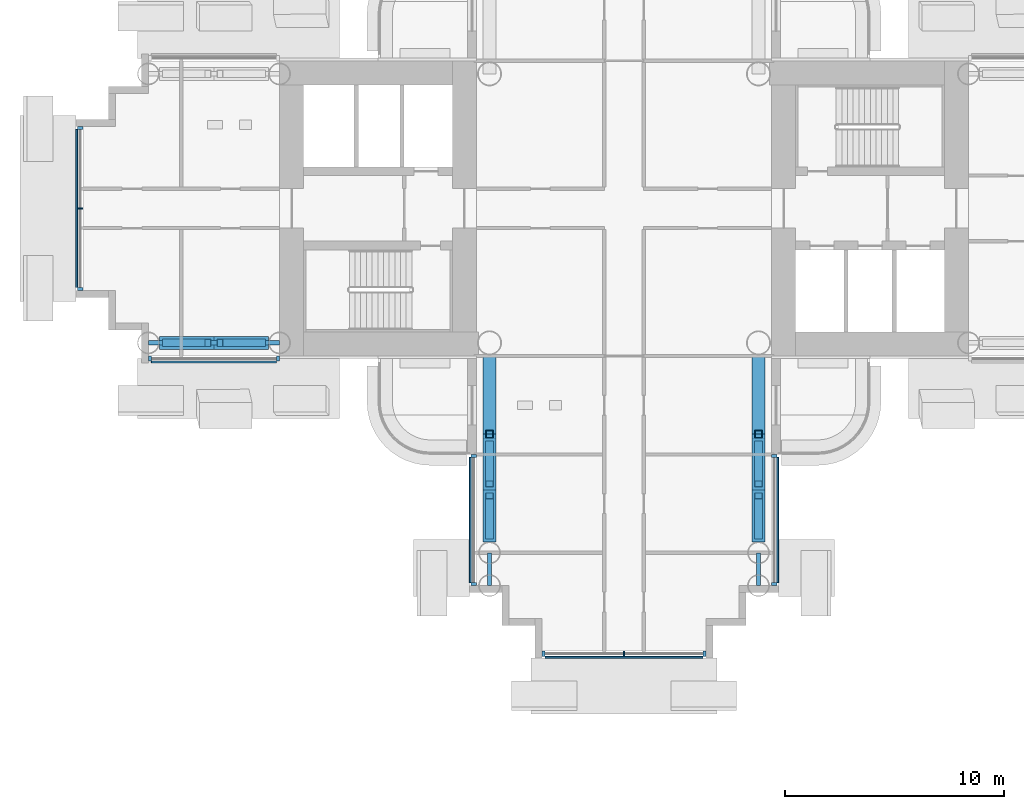
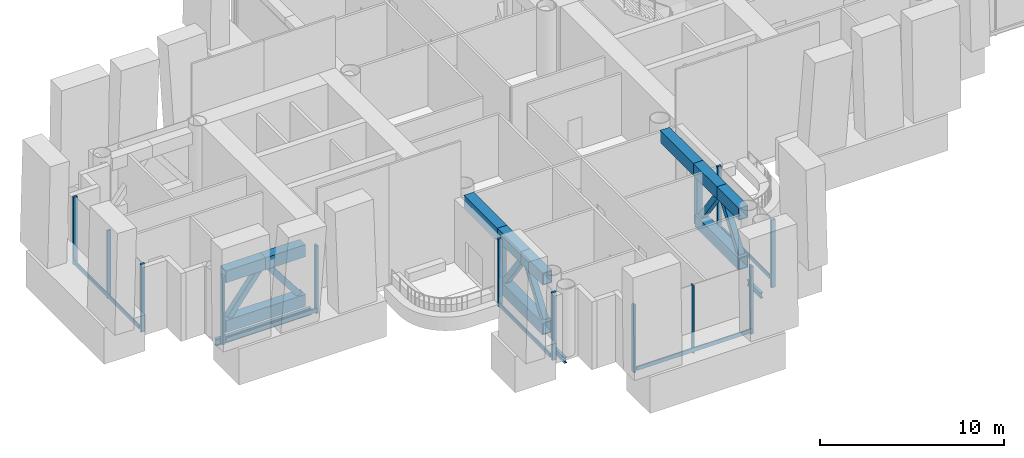
# One storey, part 3 of 27: 36 members, 3 beams, 5 elements without a shape of their own.
"""IFC4 building model written with IfcOpenShell, lengths in metres."""

from ifc_helpers import new_model, si_unit, direction, frame, origin, origin_2d, place, context, subcontext, project, spatial, rectangle, hollow_rectangle, i_section, extrude, material, layer, layer_set, material_profile, profile_set, type_object, element, aggregate, save


model = new_model("IFC4")

# Units and contexts
model_context = context("Model", 3, precision=1e-05, world=origin(), true_north=direction((0.0, 1.0)))
body_context = subcontext(model_context, "Body", "Model", "MODEL_VIEW")
ifc_project = project(units=[si_unit("LENGTHUNIT", "METRE"), si_unit("AREAUNIT", "SQUARE_METRE"), si_unit("VOLUMEUNIT", "CUBIC_METRE"), si_unit("PLANEANGLEUNIT", "RADIAN"), si_unit("MASSUNIT", "GRAM", prefix="KILO")], contexts=[model_context])

# Site, building, storey
site_placement = place(None, origin())
site = spatial("IfcSite", under=ifc_project, at=site_placement, CompositionType="ELEMENT")
building_placement = place(site_placement, origin())
building = spatial("IfcBuilding", under=site, at=building_placement, Name="Ipe Terrace Towers", CompositionType="ELEMENT")
storey_placement = place(building_placement, frame((0.0, 0.0, 72.10009765625)))
storey = spatial("IfcBuildingStorey", under=building, at=storey_placement, Name="L19", CompositionType="ELEMENT", Elevation=72.10009765625)

# Beams
ifc_material_1 = material(Name="Steel S355", Category="steel")
ifc_material_profile_1 = material_profile(ifc_material_1, i_section(OverallWidth=0.175048828125, OverallDepth=0.35009765625, WebThickness=0.007080078125, FlangeThickness=0.010986328125, at=origin_2d()), Name="H-350x175x7x11")
ifc_profile_set_1 = profile_set([ifc_material_profile_1], Name="Steel S355")
beam_type_1 = type_object("IfcBeamType", Name="H04 EDGE BEAM H-350x175x7x11", PredefinedType="BEAM", material=ifc_profile_set_1)
for number, where, z_axis, x_axis, name in (
    (1, (-42.14990234375, -15.75, -0.5751953125), (0.0, -1.0, 0.0), (1.0, 0.0, 0.0), "Edge beam T1-EB-D03-D05"),
    (2, (-29.85009765625, -15.75, -0.5751953125), (0.0, -1.0, 0.0), (1.0, 0.0, 0.0), "Edge beam T1-EB-D04-D06"),
):
    element("IfcBeam", number, at=place(storey_placement, frame(where, z_axis=z_axis, x_axis=x_axis)), inside=storey, type_object=beam_type_1, Name=name, PredefinedType="BEAM", context=body_context, shape_type="SweptSolid", body=[
        extrude(i_section(OverallWidth=0.175048828125, OverallDepth=0.35009765625, WebThickness=0.007080078125, FlangeThickness=0.010986328125, at=origin_2d()), origin(), (0.0, 0.0, 1.0), 1.5),
    ])
ifc_material_2 = material(Name="Steel S355", Category="steel")
ifc_material_profile_2 = material_profile(ifc_material_2, i_section(OverallWidth=0.199951171875, OverallDepth=0.449951171875, WebThickness=0.009033203125, FlangeThickness=0.013916015625, at=origin_2d()), Name="H-450x200x9x14")
ifc_profile_set_2 = profile_set([ifc_material_profile_2], Name="Steel S355")
beam_type_2 = type_object("IfcBeamType", Name="H08 EDGE BEAM H-450x200x9x14", PredefinedType="BEAM", material=ifc_profile_set_2)
beam_placement = place(storey_placement, frame((-51.75, -6.14990234375, -0.625), z_axis=(-1.0, 0.0, 0.0), x_axis=(0.0, -1.0, 0.0)))
element("IfcBeam", 3, at=beam_placement, inside=storey, type_object=beam_type_2, Name="Edge beam T1-EB-C01-C03", PredefinedType="BEAM", context=body_context, shape_type="SweptSolid", body=[
    extrude(i_section(OverallWidth=0.199951171875, OverallDepth=0.449951171875, WebThickness=0.009033203125, FlangeThickness=0.013916015625, at=origin_2d()), origin(), (0.0, 0.0, 1.0), 6.0),
])

# Members
ifc_material_3 = material(Name="Steel S355", Category="steel")
ifc_material_profile_3 = material_profile(ifc_material_3, hollow_rectangle(XDim=0.35009765625, YDim=0.35009765625, WallThickness=0.02001953125, at=origin_2d()), Name="OUTRIGGER-BRACE BOX 350x350x20")
ifc_profile_set_3 = profile_set([ifc_material_profile_3], Name="Steel S355")
member_type_1 = type_object("IfcMemberType", Name="OUTRIGGER-BRACE BOX 350x350x20", PredefinedType="BRACE", material=ifc_profile_set_3)
for number, where, z_axis, x_axis, name in (
    (4, (-52.528076171875, -6.14990234375, 0.77978515625), (-0.60773905456, 0.0, 0.794136790209), (0.0, -1.0, 0.0), "T1-OR-L19-072 diagonal"),
    (5, (-56.971923828125, -6.14990234375, 0.77978515625), (0.60773905456, 0.0, 0.794136790209), (0.0, 1.0, 0.0), "T1-OR-L19-073 diagonal"),
):
    element("IfcMember", number, at=place(storey_placement, frame(where, z_axis=z_axis, x_axis=x_axis)), inside=storey, type_object=member_type_1, Name=name, PredefinedType="BRACE", context=body_context, shape_type="SweptSolid", body=[
        extrude(hollow_rectangle(XDim=0.35009765625, YDim=0.35009765625, WallThickness=0.02001953125, at=origin_2d()), origin(), (0.0, 0.0, 1.0), 3.198486328125),
    ])
for number, where, z_axis, x_axis, name in (
    (6, (-29.85009765625, -10.77294921875, 0.77978515625), (0.0, -0.58436225727, 0.811492915729), (1.0, 0.0, 0.0), "T1-OR-L19-090 diagonal"),
    (7, (-29.85009765625, -14.97705078125, 0.77978515625), (0.0, 0.58436225727, 0.811492915729), (-1.0, 0.0, 0.0), "T1-OR-L19-091 diagonal"),
    (8, (-42.14990234375, -10.77294921875, 0.77978515625), (0.0, -0.58436225727, 0.811492915729), (1.0, 0.0, 0.0), "T1-OR-L19-097 diagonal"),
    (9, (-42.14990234375, -14.97705078125, 0.77978515625), (0.0, 0.58436225727, 0.811492915729), (-1.0, 0.0, 0.0), "T1-OR-L19-098 diagonal"),
):
    element("IfcMember", number, at=place(storey_placement, frame(where, z_axis=z_axis, x_axis=x_axis)), inside=storey, type_object=member_type_1, Name=name, PredefinedType="BRACE", context=body_context, shape_type="SweptSolid", body=[
        extrude(hollow_rectangle(XDim=0.35009765625, YDim=0.35009765625, WallThickness=0.02001953125, at=origin_2d()), origin(), (0.0, 0.0, 1.0), 3.130126953125),
    ])
ifc_material_4 = material(Name="Steel S355", Category="steel")
ifc_material_profile_4 = material_profile(ifc_material_4, hollow_rectangle(XDim=0.60009765625, YDim=0.800048828125, WallThickness=0.0400390625, at=origin_2d()), Name="OUTRIGGER-CHORD BOX 600x800x40")
ifc_profile_set_4 = profile_set([ifc_material_profile_4], Name="Steel S355")
member_type_2 = type_object("IfcMemberType", Name="OUTRIGGER-CHORD BOX 600x800x40", PredefinedType="CHORD", material=ifc_profile_set_4)
member_1_placement = place(storey_placement, frame((-52.25, -6.14990234375, 0.39990234375), z_axis=(-1.0, 0.0, 0.0), x_axis=(0.0, -1.0, 0.0)))
element("IfcMember", 10, at=member_1_placement, inside=storey, type_object=member_type_2, Name="T1-OR-L19-071 bottom chord", PredefinedType="CHORD", context=body_context, shape_type="SweptSolid", body=[
    extrude(hollow_rectangle(XDim=0.60009765625, YDim=0.800048828125, WallThickness=0.0400390625, at=origin_2d()), origin(), (0.0, 0.0, 1.0), 5.0),
])
for number, where, z_axis, x_axis, name in (
    (11, (-52.25, -6.14990234375, 3.699951171875), (-1.0, 0.0, 0.0), (0.0, -1.0, 0.0), "T1-OR-L19-074 top chord"),
    (12, (-54.75, -6.14990234375, 3.699951171875), (-1.0, 0.0, 0.0), (0.0, -1.0, 0.0), "T1-OR-L19-075 top chord"),
):
    element("IfcMember", number, at=place(storey_placement, frame(where, z_axis=z_axis, x_axis=x_axis)), inside=storey, type_object=member_type_2, Name=name, PredefinedType="CHORD", context=body_context, shape_type="SweptSolid", body=[
        extrude(hollow_rectangle(XDim=0.60009765625, YDim=0.800048828125, WallThickness=0.0400390625, at=origin_2d()), origin(), (0.0, 0.0, 1.0), 2.5),
    ])
member_2_placement = place(storey_placement, frame((-29.85009765625, -10.5, 0.39990234375), z_axis=(0.0, -1.0, 0.0), x_axis=(1.0, 0.0, 0.0)))
element("IfcMember", 13, at=member_2_placement, inside=storey, type_object=member_type_2, Name="T1-OR-L19-089 bottom chord", PredefinedType="CHORD", context=body_context, shape_type="SweptSolid", body=[
    extrude(hollow_rectangle(XDim=0.60009765625, YDim=0.800048828125, WallThickness=0.0400390625, at=origin_2d()), origin(), (0.0, 0.0, 1.0), 4.75),
])
member_3_placement = place(storey_placement, frame((-29.85009765625, -6.699951171875, 3.699951171875), z_axis=(0.0, -1.0, 0.0), x_axis=(1.0, 0.0, 0.0)))
element("IfcMember", 14, at=member_3_placement, inside=storey, type_object=member_type_2, Name="T1-OR-L19-093 top chord", PredefinedType="CHORD", context=body_context, shape_type="SweptSolid", body=[
    extrude(hollow_rectangle(XDim=0.60009765625, YDim=0.800048828125, WallThickness=0.0400390625, at=origin_2d()), origin(), (0.0, 0.0, 1.0), 3.625),
])
member_4_placement = place(storey_placement, frame((-29.85009765625, -10.324951171875, 3.699951171875), z_axis=(0.0, -1.0, 0.0), x_axis=(1.0, 0.0, 0.0)))
element("IfcMember", 15, at=member_4_placement, inside=storey, type_object=member_type_2, Name="T1-OR-L19-094 top chord", PredefinedType="CHORD", context=body_context, shape_type="SweptSolid", body=[
    extrude(hollow_rectangle(XDim=0.60009765625, YDim=0.800048828125, WallThickness=0.0400390625, at=origin_2d()), origin(), (0.0, 0.0, 1.0), 2.550048828125),
])
member_5_placement = place(storey_placement, frame((-29.85009765625, -12.875, 3.699951171875), z_axis=(0.0, -1.0, 0.0), x_axis=(1.0, 0.0, 0.0)))
element("IfcMember", 16, at=member_5_placement, inside=storey, type_object=member_type_2, Name="T1-OR-L19-095 top chord", PredefinedType="CHORD", context=body_context, shape_type="SweptSolid", body=[
    extrude(hollow_rectangle(XDim=0.60009765625, YDim=0.800048828125, WallThickness=0.0400390625, at=origin_2d()), origin(), (0.0, 0.0, 1.0), 2.375),
])
member_6_placement = place(storey_placement, frame((-42.14990234375, -10.5, 0.39990234375), z_axis=(0.0, -1.0, 0.0), x_axis=(1.0, 0.0, 0.0)))
element("IfcMember", 17, at=member_6_placement, inside=storey, type_object=member_type_2, Name="T1-OR-L19-096 bottom chord", PredefinedType="CHORD", context=body_context, shape_type="SweptSolid", body=[
    extrude(hollow_rectangle(XDim=0.60009765625, YDim=0.800048828125, WallThickness=0.0400390625, at=origin_2d()), origin(), (0.0, 0.0, 1.0), 4.75),
])
member_7_placement = place(storey_placement, frame((-42.14990234375, -6.699951171875, 3.699951171875), z_axis=(0.0, -1.0, 0.0), x_axis=(1.0, 0.0, 0.0)))
element("IfcMember", 18, at=member_7_placement, inside=storey, type_object=member_type_2, Name="T1-OR-L19-100 top chord", PredefinedType="CHORD", context=body_context, shape_type="SweptSolid", body=[
    extrude(hollow_rectangle(XDim=0.60009765625, YDim=0.800048828125, WallThickness=0.0400390625, at=origin_2d()), origin(), (0.0, 0.0, 1.0), 3.625),
])
member_8_placement = place(storey_placement, frame((-42.14990234375, -10.324951171875, 3.699951171875), z_axis=(0.0, -1.0, 0.0), x_axis=(1.0, 0.0, 0.0)))
element("IfcMember", 19, at=member_8_placement, inside=storey, type_object=member_type_2, Name="T1-OR-L19-101 top chord", PredefinedType="CHORD", context=body_context, shape_type="SweptSolid", body=[
    extrude(hollow_rectangle(XDim=0.60009765625, YDim=0.800048828125, WallThickness=0.0400390625, at=origin_2d()), origin(), (0.0, 0.0, 1.0), 2.550048828125),
])
member_9_placement = place(storey_placement, frame((-42.14990234375, -12.875, 3.699951171875), z_axis=(0.0, -1.0, 0.0), x_axis=(1.0, 0.0, 0.0)))
element("IfcMember", 20, at=member_9_placement, inside=storey, type_object=member_type_2, Name="T1-OR-L19-102 top chord", PredefinedType="CHORD", context=body_context, shape_type="SweptSolid", body=[
    extrude(hollow_rectangle(XDim=0.60009765625, YDim=0.800048828125, WallThickness=0.0400390625, at=origin_2d()), origin(), (0.0, 0.0, 1.0), 2.375),
])
ifc_material_5 = material(Name="Steel S355", Category="steel")
ifc_material_profile_5 = material_profile(ifc_material_5, hollow_rectangle(XDim=0.35009765625, YDim=0.35009765625, WallThickness=0.02001953125, at=origin_2d()), Name="OUTRIGGER-POST BOX 350x350x20")
ifc_profile_set_5 = profile_set([ifc_material_profile_5], Name="Steel S355")
member_type_3 = type_object("IfcMemberType", Name="OUTRIGGER-POST BOX 350x350x20", PredefinedType="POST", material=ifc_profile_set_5)
for number, where, z_axis, x_axis, name in (
    (21, (-29.85009765625, -10.324951171875, 0.0), (0.0, 0.0, 1.0), (1.0, 0.0, 0.0), "T1-OR-L19-092 post"),
    (22, (-42.14990234375, -10.324951171875, 0.0), (0.0, 0.0, 1.0), (1.0, 0.0, 0.0), "T1-OR-L19-099 post"),
):
    element("IfcMember", number, at=place(storey_placement, frame(where, z_axis=z_axis, x_axis=x_axis)), inside=storey, type_object=member_type_3, Name=name, PredefinedType="POST", context=body_context, shape_type="SweptSolid", body=[
        extrude(hollow_rectangle(XDim=0.35009765625, YDim=0.35009765625, WallThickness=0.02001953125, at=origin_2d()), origin(), (0.0, 0.0, 1.0), 3.2998046875),
    ])

# Curtain wall, members
ifc_material_6 = material(Name="Aluminium alloy 6063-T6", Category="aluminium")
ifc_layer = layer(ifc_material_6, 0.320068359375)
ifc_layer_set = layer_set([ifc_layer], Name="REFUGE FLOOR CURTAIN WALL")
curtain_wall_type = type_object("IfcCurtainWallType", Name="REFUGE FLOOR CURTAIN WALL", PredefinedType="NOTDEFINED", material=ifc_layer_set)
curtain_wall_1_placement = place(storey_placement, origin())
curtain_wall_1 = element("IfcCurtainWall", 23, at=curtain_wall_1_placement, inside=storey, type_object=curtain_wall_type, Name="T1-CW-L19-04a curtain wall", PredefinedType="NOTDEFINED")
ifc_material_7 = material(Name="Aluminium alloy 6063-T6", Category="aluminium")
ifc_material_profile_6 = material_profile(ifc_material_7, rectangle(XDim=0.239990234375, YDim=0.139892578125, at=origin_2d()), Name="REFUGE FLOOR CORNER MULLION 240 x 140")
ifc_profile_set_6 = profile_set([ifc_material_profile_6], Name="Aluminium alloy 6063-T6")
member_type_4 = type_object("IfcMemberType", Name="REFUGE FLOOR CORNER MULLION 240 x 140", PredefinedType="MULLION", material=ifc_profile_set_6)
member_10_placement = place(storey_placement, frame((-57.679931640625, -6.8701171875, -0.300048828125), z_axis=(0.0, 0.0, 1.0), x_axis=(0.0, -1.0, 0.0)))
member_10 = element("IfcMember", 24, at=member_10_placement, type_object=member_type_4, Name="T1-CW-L19-04a mullion 1", PredefinedType="MULLION", context=body_context, shape_type="SweptSolid", body=[
    extrude(rectangle(XDim=0.239990234375, YDim=0.139892578125, at=origin_2d()), origin(), (0.0, 0.0, 1.0), 4.5),
])
member_11_placement = place(storey_placement, frame((-51.821044921875, -6.8701171875, -0.300048828125), z_axis=(0.0, 0.0, 1.0), x_axis=(0.0, -1.0, 0.0)))
member_11 = element("IfcMember", 25, at=member_11_placement, type_object=member_type_4, Name="T1-CW-L19-04a mullion 2", PredefinedType="MULLION", context=body_context, shape_type="SweptSolid", body=[
    extrude(rectangle(XDim=0.239990234375, YDim=0.139892578125, at=origin_2d()), origin(), (0.0, 0.0, 1.0), 4.5),
])

curtain_wall_2_placement = place(storey_placement, origin())
curtain_wall_2 = element("IfcCurtainWall", 26, at=curtain_wall_2_placement, inside=storey, type_object=curtain_wall_type, Name="T1-CW-L19-07a curtain wall", PredefinedType="NOTDEFINED")
member_12_placement = place(storey_placement, frame((-42.8701171875, -11.320068359375, -0.300048828125), z_axis=(0.0, 0.0, 1.0), x_axis=(-1.0, 0.0, 0.0)))
member_12 = element("IfcMember", 27, at=member_12_placement, type_object=member_type_4, Name="T1-CW-L19-07a mullion 1", PredefinedType="MULLION", context=body_context, shape_type="SweptSolid", body=[
    extrude(rectangle(XDim=0.239990234375, YDim=0.139892578125, at=origin_2d()), origin(), (0.0, 0.0, 1.0), 4.5),
])
member_13_placement = place(storey_placement, frame((-42.8701171875, -17.179931640625, -0.300048828125), z_axis=(0.0, 0.0, 1.0), x_axis=(-1.0, 0.0, 0.0)))
member_13 = element("IfcMember", 28, at=member_13_placement, type_object=member_type_4, Name="T1-CW-L19-07a mullion 2", PredefinedType="MULLION", context=body_context, shape_type="SweptSolid", body=[
    extrude(rectangle(XDim=0.239990234375, YDim=0.139892578125, at=origin_2d()), origin(), (0.0, 0.0, 1.0), 4.5),
])

curtain_wall_3_placement = place(storey_placement, origin())
curtain_wall_3 = element("IfcCurtainWall", 29, at=curtain_wall_3_placement, inside=storey, type_object=curtain_wall_type, Name="T1-CW-L19-12a curtain wall", PredefinedType="NOTDEFINED")
member_14_placement = place(storey_placement, frame((-39.679931640625, -20.3701171875, -0.300048828125), z_axis=(0.0, 0.0, 1.0), x_axis=(0.0, -1.0, 0.0)))
member_14 = element("IfcMember", 30, at=member_14_placement, type_object=member_type_4, Name="T1-CW-L19-12a mullion 1", PredefinedType="MULLION", context=body_context, shape_type="SweptSolid", body=[
    extrude(rectangle(XDim=0.239990234375, YDim=0.139892578125, at=origin_2d()), origin(), (0.0, 0.0, 1.0), 4.5),
])
member_15_placement = place(storey_placement, frame((-32.320068359375, -20.3701171875, -0.300048828125), z_axis=(0.0, 0.0, 1.0), x_axis=(0.0, -1.0, 0.0)))
member_15 = element("IfcMember", 31, at=member_15_placement, type_object=member_type_4, Name="T1-CW-L19-12a mullion 3", PredefinedType="MULLION", context=body_context, shape_type="SweptSolid", body=[
    extrude(rectangle(XDim=0.239990234375, YDim=0.139892578125, at=origin_2d()), origin(), (0.0, 0.0, 1.0), 4.5),
])

curtain_wall_4_placement = place(storey_placement, origin())
curtain_wall_4 = element("IfcCurtainWall", 32, at=curtain_wall_4_placement, inside=storey, type_object=curtain_wall_type, Name="T1-CW-L19-17a curtain wall", PredefinedType="NOTDEFINED")
member_16_placement = place(storey_placement, frame((-29.1298828125, -17.179931640625, -0.300048828125), z_axis=(0.0, 0.0, 1.0), x_axis=(1.0, 0.0, 0.0)))
member_16 = element("IfcMember", 33, at=member_16_placement, type_object=member_type_4, Name="T1-CW-L19-17a mullion 1", PredefinedType="MULLION", context=body_context, shape_type="SweptSolid", body=[
    extrude(rectangle(XDim=0.239990234375, YDim=0.139892578125, at=origin_2d()), origin(), (0.0, 0.0, 1.0), 4.5),
])
member_17_placement = place(storey_placement, frame((-29.1298828125, -11.320068359375, -0.300048828125), z_axis=(0.0, 0.0, 1.0), x_axis=(1.0, 0.0, 0.0)))
member_17 = element("IfcMember", 34, at=member_17_placement, type_object=member_type_4, Name="T1-CW-L19-17a mullion 2", PredefinedType="MULLION", context=body_context, shape_type="SweptSolid", body=[
    extrude(rectangle(XDim=0.239990234375, YDim=0.139892578125, at=origin_2d()), origin(), (0.0, 0.0, 1.0), 4.5),
])

curtain_wall_5_placement = place(storey_placement, origin())
curtain_wall_5 = element("IfcCurtainWall", 35, at=curtain_wall_5_placement, inside=storey, type_object=curtain_wall_type, Name="T1-CW-L19-51a curtain wall", PredefinedType="NOTDEFINED")
member_18_placement = place(storey_placement, frame((-60.8701171875, 3.679931640625, -0.300048828125), z_axis=(0.0, 0.0, 1.0), x_axis=(-1.0, 0.0, 0.0)))
member_18 = element("IfcMember", 36, at=member_18_placement, type_object=member_type_4, Name="T1-CW-L19-51a mullion 1", PredefinedType="MULLION", context=body_context, shape_type="SweptSolid", body=[
    extrude(rectangle(XDim=0.239990234375, YDim=0.139892578125, at=origin_2d()), origin(), (0.0, 0.0, 1.0), 4.5),
])
member_19_placement = place(storey_placement, frame((-60.8701171875, -3.679931640625, -0.300048828125), z_axis=(0.0, 0.0, 1.0), x_axis=(-1.0, 0.0, 0.0)))
member_19 = element("IfcMember", 37, at=member_19_placement, type_object=member_type_4, Name="T1-CW-L19-51a mullion 3", PredefinedType="MULLION", context=body_context, shape_type="SweptSolid", body=[
    extrude(rectangle(XDim=0.239990234375, YDim=0.139892578125, at=origin_2d()), origin(), (0.0, 0.0, 1.0), 4.5),
])

# Member
ifc_material_8 = material(Name="Aluminium alloy 6063-T6", Category="aluminium")
ifc_material_profile_7 = material_profile(ifc_material_8, rectangle(XDim=0.239990234375, YDim=0.074951171875, at=origin_2d()), Name="REFUGE FLOOR MULLION 240 x 75")
ifc_profile_set_7 = profile_set([ifc_material_profile_7], Name="Aluminium alloy 6063-T6")
member_type_5 = type_object("IfcMemberType", Name="REFUGE FLOOR MULLION 240 x 75", PredefinedType="MULLION", material=ifc_profile_set_7)
member_20_placement = place(storey_placement, frame((-36.0, -20.3701171875, -0.300048828125), z_axis=(0.0, 0.0, 1.0), x_axis=(0.0, -1.0, 0.0)))
member_20 = element("IfcMember", 38, at=member_20_placement, type_object=member_type_5, Name="T1-CW-L19-12a mullion 2", PredefinedType="MULLION", context=body_context, shape_type="SweptSolid", body=[
    extrude(rectangle(XDim=0.239990234375, YDim=0.074951171875, at=origin_2d()), origin(), (0.0, 0.0, 1.0), 4.5),
])

member_21_placement = place(storey_placement, frame((-60.8701171875, 0.0, -0.300048828125), z_axis=(0.0, 0.0, 1.0), x_axis=(-1.0, 0.0, 0.0)))
member_21 = element("IfcMember", 39, at=member_21_placement, type_object=member_type_5, Name="T1-CW-L19-51a mullion 2", PredefinedType="MULLION", context=body_context, shape_type="SweptSolid", body=[
    extrude(rectangle(XDim=0.239990234375, YDim=0.074951171875, at=origin_2d()), origin(), (0.0, 0.0, 1.0), 4.5),
])

ifc_material_9 = material(Name="Aluminium alloy 6063-T6", Category="aluminium")
ifc_material_profile_8 = material_profile(ifc_material_9, rectangle(XDim=0.080078125, YDim=0.260009765625, at=origin_2d()), Name="REFUGE FLOOR TRANSOM 80 x 260")
ifc_profile_set_8 = profile_set([ifc_material_profile_8], Name="Aluminium alloy 6063-T6")
member_type_6 = type_object("IfcMemberType", Name="REFUGE FLOOR TRANSOM 80 x 260", PredefinedType="USERDEFINED", material=ifc_profile_set_8)
member_22_placement = place(storey_placement, frame((-57.610107421875, -7.030029296875, 0.0), z_axis=(1.0, 0.0, 0.0), x_axis=(0.0, -1.0, 0.0)))
member_22 = element("IfcMember", 40, at=member_22_placement, type_object=member_type_6, Name="T1-CW-L19-04a transom", ObjectType="TRANSOM", PredefinedType="USERDEFINED", context=body_context, shape_type="SweptSolid", body=[
    extrude(rectangle(XDim=0.080078125, YDim=0.260009765625, at=origin_2d()), origin(), (0.0, 0.0, 1.0), 5.718994140625),
])

aggregate(curtain_wall_1, [member_10, member_11, member_22])

member_23_placement = place(storey_placement, frame((-43.030029296875, -11.389892578125, 0.0), z_axis=(0.0, -1.0, 0.0), x_axis=(-1.0, 0.0, 0.0)))
member_23 = element("IfcMember", 41, at=member_23_placement, type_object=member_type_6, Name="T1-CW-L19-07a transom", ObjectType="TRANSOM", PredefinedType="USERDEFINED", context=body_context, shape_type="SweptSolid", body=[
    extrude(rectangle(XDim=0.080078125, YDim=0.260009765625, at=origin_2d()), origin(), (0.0, 0.0, 1.0), 5.72021484375),
])

aggregate(curtain_wall_2, [member_12, member_13, member_23])

member_24_placement = place(storey_placement, frame((-39.610107421875, -20.530029296875, 0.0), z_axis=(1.0, 0.0, 0.0), x_axis=(0.0, -1.0, 0.0)))
member_24 = element("IfcMember", 42, at=member_24_placement, type_object=member_type_6, Name="T1-CW-L19-12a transom", ObjectType="TRANSOM", PredefinedType="USERDEFINED", context=body_context, shape_type="SweptSolid", body=[
    extrude(rectangle(XDim=0.080078125, YDim=0.260009765625, at=origin_2d()), origin(), (0.0, 0.0, 1.0), 7.22021484375),
])

aggregate(curtain_wall_3, [member_14, member_20, member_15, member_24])

member_25_placement = place(storey_placement, frame((-28.969970703125, -17.110107421875, 0.0), z_axis=(0.0, 1.0, 0.0), x_axis=(1.0, 0.0, 0.0)))
member_25 = element("IfcMember", 43, at=member_25_placement, type_object=member_type_6, Name="T1-CW-L19-17a transom", ObjectType="TRANSOM", PredefinedType="USERDEFINED", context=body_context, shape_type="SweptSolid", body=[
    extrude(rectangle(XDim=0.080078125, YDim=0.260009765625, at=origin_2d()), origin(), (0.0, 0.0, 1.0), 5.72021484375),
])

aggregate(curtain_wall_4, [member_16, member_17, member_25])

member_26_placement = place(storey_placement, frame((-61.030029296875, 3.610107421875, 0.0), z_axis=(0.0, -1.0, 0.0), x_axis=(-1.0, 0.0, 0.0)))
member_26 = element("IfcMember", 44, at=member_26_placement, type_object=member_type_6, Name="T1-CW-L19-51a transom", ObjectType="TRANSOM", PredefinedType="USERDEFINED", context=body_context, shape_type="SweptSolid", body=[
    extrude(rectangle(XDim=0.080078125, YDim=0.260009765625, at=origin_2d()), origin(), (0.0, 0.0, 1.0), 7.22021484375),
])

aggregate(curtain_wall_5, [member_18, member_21, member_19, member_26])

save(model, "model.ifc")
